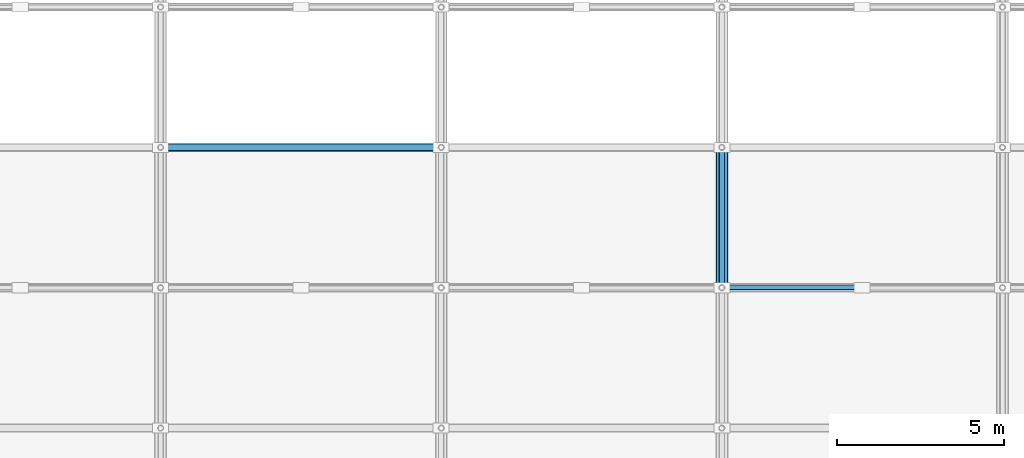
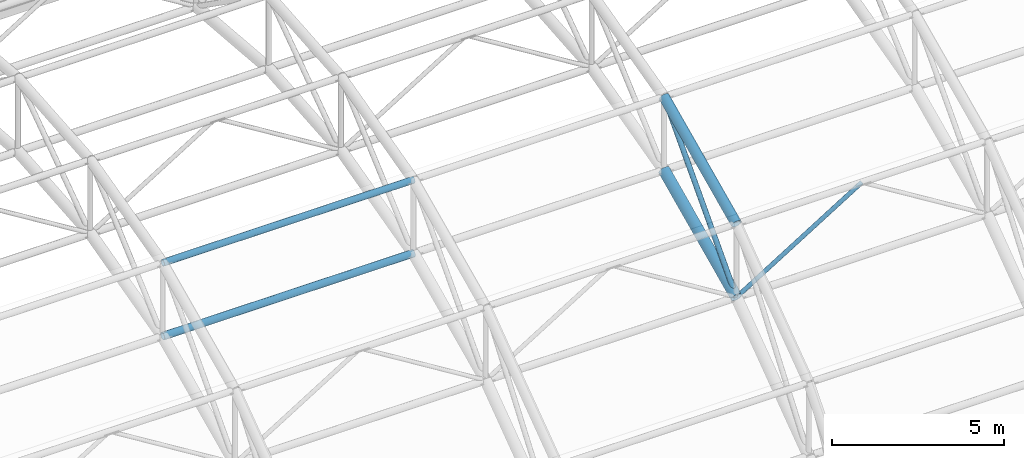
# One storey, part 26 of 103: 4 members, 2 beams.
"""IFC4 building model written with IfcOpenShell, lengths in metres."""

from ifc_helpers import new_model, si_unit, direction, frame, origin, origin_2d, place, context, subcontext, project, spatial, hollow_circle, extrude, material, material_profile, profile_set, type_object, element, save


model = new_model("IFC4")

# Units and contexts
model_context = context("Model", 3, precision=1e-05, world=origin(), true_north=direction((0.0, 1.0)))
body_context = subcontext(model_context, "Body", "Model", "MODEL_VIEW")
ifc_project = project(units=[si_unit("LENGTHUNIT", "METRE"), si_unit("AREAUNIT", "SQUARE_METRE"), si_unit("VOLUMEUNIT", "CUBIC_METRE"), si_unit("PLANEANGLEUNIT", "RADIAN"), si_unit("MASSUNIT", "GRAM", prefix="KILO")], contexts=[model_context])

# Site, building, storey
site_placement = place(None, origin())
site = spatial("IfcSite", under=ifc_project, at=site_placement, CompositionType="ELEMENT")
building_placement = place(site_placement, origin())
building = spatial("IfcBuilding", under=site, at=building_placement, Name="Varnapada Polytechnic", CompositionType="ELEMENT")
storey_placement = place(building_placement, frame((0.0, 0.0, 18.0)))
storey = spatial("IfcBuildingStorey", under=building, at=storey_placement, Name="L04", CompositionType="ELEMENT", Elevation=18.0)

# Members
ifc_material = material(Name="Steel S355", Category="steel")
ifc_material_profile_1 = material_profile(ifc_material, hollow_circle(Radius=0.122314453125, WallThickness=0.008056640625, at=origin_2d()), Name="CHS 244.5x8.0")
ifc_profile_set_1 = profile_set([ifc_material_profile_1], Name="Steel S355")
member_type_1 = type_object("IfcMemberType", Name="Vaulted space frame longitudinal bottom chord SFC-01 (CHS 244.5x8.0)", PredefinedType="CHORD", material=ifc_profile_set_1)
member_1_placement = place(storey_placement, frame((75.60009765625, 96.60009765625, 9.98193359375), z_axis=(1.0, 0.0, 0.0), x_axis=(0.0, 1.0, 0.0)))
element("IfcMember", 1, at=member_1_placement, inside=storey, type_object=member_type_1, Name="Vaulted space frame longitudinal bottom chord 4.4", PredefinedType="CHORD", context=body_context, shape_type="SweptSolid", body=[
    extrude(hollow_circle(Radius=0.122314453125, WallThickness=0.008056640625, at=origin_2d()), origin(), (0.0, 0.0, 1.0), 8.39990234375),
])
ifc_material_profile_2 = material_profile(ifc_material, hollow_circle(Radius=0.109619140625, WallThickness=0.008056640625, at=origin_2d()), Name="CHS 219.1x8.0")
ifc_profile_set_2 = profile_set([ifc_material_profile_2], Name="Steel S355")
member_type_2 = type_object("IfcMemberType", Name="Vaulted space frame longitudinal top chord SFC-02 (CHS 219.1x8.0)", PredefinedType="CHORD", material=ifc_profile_set_2)
member_2_placement = place(storey_placement, frame((75.60009765625, 96.60009765625, 12.581787109375), z_axis=(1.0, 0.0, 0.0), x_axis=(0.0, 1.0, 0.0)))
element("IfcMember", 2, at=member_2_placement, inside=storey, type_object=member_type_2, Name="Vaulted space frame longitudinal top chord 4.4", PredefinedType="CHORD", context=body_context, shape_type="SweptSolid", body=[
    extrude(hollow_circle(Radius=0.109619140625, WallThickness=0.008056640625, at=origin_2d()), origin(), (0.0, 0.0, 1.0), 8.39990234375),
])

# Beam
ifc_material_profile_3 = material_profile(ifc_material, hollow_circle(Radius=0.177734375, WallThickness=0.012451171875, at=origin_2d()), Name="CHS 355.6x12.5")
ifc_profile_set_3 = profile_set([ifc_material_profile_3], Name="Steel S355")
beam_type_1 = type_object("IfcBeamType", Name="Vaulted space frame primary arch rib VA-01 (CHS 355.6x12.5)", PredefinedType="BEAM", material=ifc_profile_set_3)
beam_1_placement = place(storey_placement, frame((92.39990234375, 92.39990234375, 8.02783203125), z_axis=(0.0, 0.906677989805, 0.421823449802), x_axis=(-1.0, 0.0, 0.0)))
element("IfcBeam", 3, at=beam_1_placement, inside=storey, type_object=beam_type_1, Name="Vaulted space frame bottom arch chord 6.3", PredefinedType="BEAM", context=body_context, shape_type="SweptSolid", body=[
    extrude(hollow_circle(Radius=0.177734375, WallThickness=0.012451171875, at=origin_2d()), origin(), (0.0, 0.0, 1.0), 4.632568359375),
])

# Members
ifc_material_profile_4 = material_profile(ifc_material, hollow_circle(Radius=0.084228515625, WallThickness=0.00634765625, at=origin_2d()), Name="CHS 168.3x6.3")
ifc_profile_set_4 = profile_set([ifc_material_profile_4], Name="Steel S355")
member_type_3 = type_object("IfcMemberType", Name="Vaulted space frame primary web diagonal SFB-01 (CHS 168.3x6.3)", PredefinedType="BRACE", material=ifc_profile_set_4)
member_3_placement = place(storey_placement, frame((92.39990234375, 92.39990234375, 8.02783203125), z_axis=(0.0, 0.677978881407, 0.735081380777), x_axis=(-1.0, 0.0, 0.0)))
element("IfcMember", 4, at=member_3_placement, inside=storey, type_object=member_type_3, Name="Vaulted space frame web diagonal 6.3", PredefinedType="BRACE", context=body_context, shape_type="SweptSolid", body=[
    extrude(hollow_circle(Radius=0.084228515625, WallThickness=0.00634765625, at=origin_2d()), origin(), (0.0, 0.0, 1.0), 6.195068359375),
])
ifc_material_profile_5 = material_profile(ifc_material, hollow_circle(Radius=0.06982421875, WallThickness=0.0048828125, at=origin_2d()), Name="CHS 139.7x5.0")
ifc_profile_set_5 = profile_set([ifc_material_profile_5], Name="Steel S355")
member_type_4 = type_object("IfcMemberType", Name="Vaulted space frame secondary web diagonal SFB-02 (CHS 139.7x5.0)", PredefinedType="BRACE", material=ifc_profile_set_5)
member_4_placement = place(storey_placement, frame((92.39990234375, 92.39990234375, 8.02783203125), z_axis=(0.85026725322, 0.0, 0.526351211741), x_axis=(0.0, 1.0, 0.0)))
element("IfcMember", 5, at=member_4_placement, inside=storey, type_object=member_type_4, Name="Vaulted space frame longitudinal brace 6.3A", PredefinedType="BRACE", context=body_context, shape_type="SweptSolid", body=[
    extrude(hollow_circle(Radius=0.06982421875, WallThickness=0.0048828125, at=origin_2d()), origin(), (0.0, 0.0, 1.0), 4.93994140625),
])

# Beam
ifc_material_profile_6 = material_profile(ifc_material, hollow_circle(Radius=0.161865234375, WallThickness=0.010009765625, at=origin_2d()), Name="CHS 323.9x10.0")
ifc_profile_set_6 = profile_set([ifc_material_profile_6], Name="Steel S355")
beam_type_2 = type_object("IfcBeamType", Name="Vaulted space frame upper arch rib VA-02 (CHS 323.9x10.0)", PredefinedType="BEAM", material=ifc_profile_set_6)
beam_2_placement = place(storey_placement, frame((92.39990234375, 92.39990234375, 10.6279296875), z_axis=(0.0, 0.906698145361, 0.421780124234), x_axis=(-1.0, 0.0, 0.0)))
element("IfcBeam", 6, at=beam_2_placement, inside=storey, type_object=beam_type_2, Name="Vaulted space frame top arch chord 6.3", PredefinedType="BEAM", context=body_context, shape_type="SweptSolid", body=[
    extrude(hollow_circle(Radius=0.161865234375, WallThickness=0.010009765625, at=origin_2d()), origin(), (0.0, 0.0, 1.0), 4.63232421875),
])

save(model, "model.ifc")
